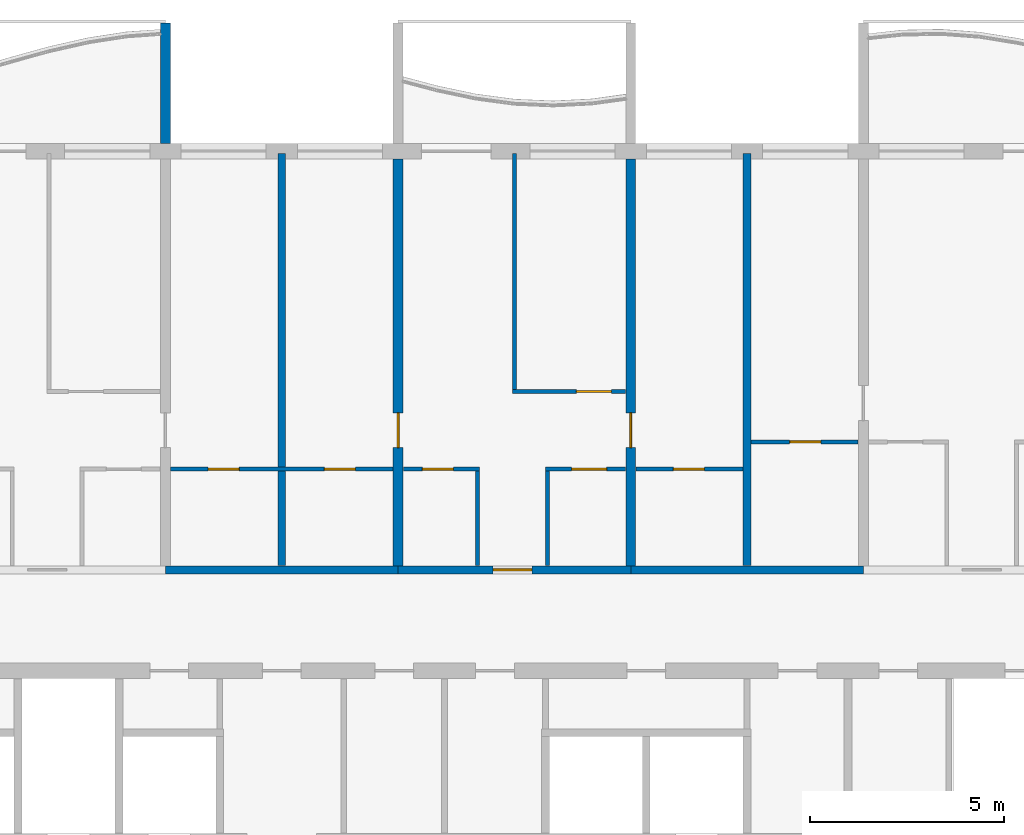
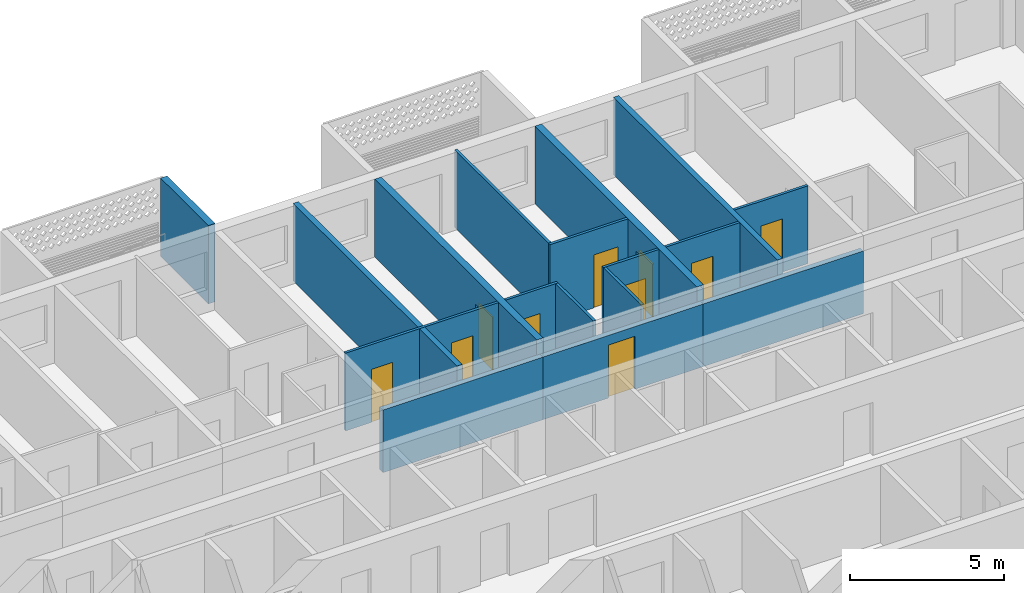
# One storey, part 9 of 27: 17 walls, 10 doors, 10 openings.
"""IFC4 building model written with IfcOpenShell, lengths in metres."""

import ifcopenshell
import ifcopenshell.guid

model = None  # the IFC model being written
_history = None  # IfcOwnerHistory: only IFC2X3 demands one
_inside = {}  # id of a spatial element -> (the spatial element, [elements in it])
_under = {}  # id of a project, library or spatial element -> (it, [spatial elements below it])
_declared = {}  # id of a project -> (the project, [libraries it declares])
_typed = {}  # id of a type object -> (the type object, [elements of that type])
_made_of = {}  # id of a material, layer set ... -> (it, [elements and type objects made of it])


def new_model(schema):
    """Start an empty IFC model of exactly this schema.

    Asked for "IFC4X3", IfcOpenShell would pick the latest addendum, in which some entities
    have other attributes; the version numbers below select the first issue.
    IFC2X3 requires an IfcOwnerHistory on every rooted entity: one is made here for all.
    """
    global model, _history
    if schema == "IFC4X3":
        model = ifcopenshell.file(schema_version=(4, 3, 0, 0))
    else:
        model = ifcopenshell.file(schema=schema)
    _inside.clear()
    _under.clear()
    _declared.clear()
    _typed.clear()
    _made_of.clear()
    _history = None
    if model.schema == "IFC2X3":
        org = make("IfcOrganization", Name="unknown")
        user = make(
            "IfcPersonAndOrganization",
            ThePerson=make("IfcPerson", FamilyName="unknown"),
            TheOrganization=org,
        )
        app = make(
            "IfcApplication",
            ApplicationDeveloper=org,
            Version="unknown",
            ApplicationFullName="unknown",
            ApplicationIdentifier="unknown",
        )
        _history = make(
            "IfcOwnerHistory",
            OwningUser=user,
            OwningApplication=app,
            ChangeAction="ADDED",
            CreationDate=0,
        )
    return model


def make(cls, **values):
    """One entity of the class cls with the attributes given. An attribute that is None is left unset."""
    return model.create_entity(
        cls, **{name: value for name, value in values.items() if value is not None}
    )


def rooted(cls, **values):
    """An entity with a GlobalId (a new one), such as an element, a storey or a relation."""
    return make(cls, GlobalId=ifcopenshell.guid.new(), OwnerHistory=_history, **values)


def si_unit(unit_type, name, prefix=None):
    """IfcSIUnit, for example si_unit("LENGTHUNIT", "METRE", prefix="MILLI")."""
    return make("IfcSIUnit", UnitType=unit_type, Prefix=prefix, Name=name)


def assignment(units):
    """IfcUnitAssignment: the units of a project."""
    return None if units is None else make("IfcUnitAssignment", Units=units)


def point(xyz):
    """IfcCartesianPoint."""
    return None if xyz is None else make("IfcCartesianPoint", Coordinates=xyz)


def direction(xyz):
    """IfcDirection."""
    return None if xyz is None else make("IfcDirection", DirectionRatios=xyz)


def frame(location, z_axis=None, x_axis=None):
    """IfcAxis2Placement3D, a coordinate frame: its origin and axes. An axis left out is left unset."""
    return make(
        "IfcAxis2Placement3D",
        Location=point(location),
        Axis=direction(z_axis),
        RefDirection=direction(x_axis),
    )


def frame_2d(location, x_axis=None):
    """IfcAxis2Placement2D, a coordinate frame in the plane: its origin and x axis."""
    return make(
        "IfcAxis2Placement2D", Location=point(location), RefDirection=direction(x_axis)
    )


def origin():
    """The frame at (0, 0, 0) with its axes left unset."""
    return frame((0.0, 0.0, 0.0))


def place(relative_to, where):
    """IfcLocalPlacement: puts the frame where relative to a parent placement (None: the world)."""
    return make(
        "IfcLocalPlacement", PlacementRelTo=relative_to, RelativePlacement=where
    )


def context(
    kind, dimensions, precision=None, world=None, true_north=None, identifier=None
):
    """IfcGeometricRepresentationContext, for example the 3D "Model" context."""
    return make(
        "IfcGeometricRepresentationContext",
        ContextIdentifier=identifier,
        ContextType=kind,
        CoordinateSpaceDimension=dimensions,
        Precision=precision,
        WorldCoordinateSystem=world,
        TrueNorth=true_north,
    )


def subcontext(parent, identifier, kind, view, scale=None):
    """IfcGeometricRepresentationSubContext, for example "Body" below "Model"."""
    return make(
        "IfcGeometricRepresentationSubContext",
        ContextIdentifier=identifier,
        ContextType=kind,
        ParentContext=parent,
        TargetScale=scale,
        TargetView=view,
    )


def project(units=None, contexts=None):
    """IfcProject with its units and contexts."""
    return rooted(
        "IfcProject",
        Name="project",
        RepresentationContexts=contexts,
        UnitsInContext=assignment(units),
    )


def spatial(cls, under=None, at=None, **own):
    """A site, building, storey or space (cls), placed at a placement, below another one or the project."""
    s = rooted(cls, ObjectPlacement=at, **own)
    if under is not None:
        _under.setdefault(under.id(), (under, []))[1].append(s)
    return s


def polyline(points):
    """IfcPolyline through the points."""
    return make("IfcPolyline", Points=[point(p) for p in points])


def profile(cls, at=None, kind="AREA", **sizes):
    """A parametric profile (cls). Its sizes go by their IFC names, for example OverallWidth=200.0."""
    return make(cls, ProfileType=kind, Position=at, **sizes)


def rectangle(**sizes):
    """IfcRectangleProfileDef."""
    return profile("IfcRectangleProfileDef", **sizes)


def outline(outer, holes=None, kind="AREA"):
    """IfcArbitraryClosedProfileDef: a profile drawn as a closed curve; with holes, ...WithVoids."""
    if holes is None:
        return make("IfcArbitraryClosedProfileDef", ProfileType=kind, OuterCurve=outer)
    return make(
        "IfcArbitraryProfileDefWithVoids",
        ProfileType=kind,
        OuterCurve=outer,
        InnerCurves=holes,
    )


def extrude(swept, where, along, depth):
    """IfcExtrudedAreaSolid: the profile swept, set in the frame where, extruded along a direction by depth."""
    return make(
        "IfcExtrudedAreaSolid",
        SweptArea=swept,
        Position=where,
        ExtrudedDirection=direction(along),
        Depth=depth,
    )


def shape(context_of_items, identifier, shape_type, items):
    """IfcShapeRepresentation: the items that make up one representation, for example the "Body"."""
    return make(
        "IfcShapeRepresentation",
        ContextOfItems=context_of_items,
        RepresentationIdentifier=identifier,
        RepresentationType=shape_type,
        Items=items,
    )


def source(mapping_origin, context_of_items, identifier, shape_type, items):
    """IfcRepresentationMap: a shape defined once, which mapped items show again and again."""
    return make(
        "IfcRepresentationMap",
        MappingOrigin=mapping_origin,
        MappedRepresentation=shape(context_of_items, identifier, shape_type, items),
    )


def transform(
    local_origin,
    x_axis=None,
    y_axis=None,
    z_axis=None,
    scale=None,
    scale2=None,
    scale3=None,
    uniform=True,
):
    """IfcCartesianTransformationOperator3D, or its non-uniform kind. x_axis, y_axis, z_axis: its Axis1, 2, 3."""
    if uniform:
        return make(
            "IfcCartesianTransformationOperator3D",
            Axis1=direction(x_axis),
            Axis2=direction(y_axis),
            LocalOrigin=point(local_origin),
            Scale=scale,
            Axis3=direction(z_axis),
        )
    return make(
        "IfcCartesianTransformationOperator3DnonUniform",
        Axis1=direction(x_axis),
        Axis2=direction(y_axis),
        LocalOrigin=point(local_origin),
        Scale=scale,
        Axis3=direction(z_axis),
        Scale2=scale2,
        Scale3=scale3,
    )


def mapped(mapping_source, mapping_target):
    """IfcMappedItem: shows the shape of a source again, moved by a transform."""
    return make(
        "IfcMappedItem", MappingSource=mapping_source, MappingTarget=mapping_target
    )


def material(Name=None, Category=None):
    """IfcMaterial."""
    return make("IfcMaterial", Name=Name, Category=Category)


def layer(
    of_material, thickness, ventilated=None, Name=None, Category=None, Priority=None
):
    """IfcMaterialLayer: one layer of a wall or slab, of a material (None: an air gap)."""
    return make(
        "IfcMaterialLayer",
        Material=of_material,
        LayerThickness=thickness,
        IsVentilated=ventilated,
        Name=Name,
        Category=Category,
        Priority=Priority,
    )


def layer_set(layers, Name=None):
    """IfcMaterialLayerSet."""
    return make("IfcMaterialLayerSet", MaterialLayers=layers, LayerSetName=Name)


def made_of(thing, what):
    """Note that an element or type object is made of a material, layer set ...; save() writes the relation."""
    if what is not None:
        _made_of.setdefault(what.id(), (what, []))[1].append(thing)
    return thing


def type_object(cls, material=None, **own):
    """A type object (cls), such as IfcWallType, which elements share."""
    return made_of(rooted(cls, **own), material)


def element(
    cls,
    number,
    at=None,
    inside=None,
    cuts=None,
    type_object=None,
    material=None,
    context=None,
    identifier="Body",
    shape_type=None,
    held_by="IfcProductDefinitionShape",
    body=None,
    shapes=None,
    **own,
):
    """One element of the class cls, such as IfcWall. Its Tag is "e" and its number.

    at: its placement. inside: the storey or other place that contains it. cuts: it is an
    opening in that element (IfcRelVoidsElement). A single representation is given by context,
    identifier, shape_type and body (its items); several are given by shapes. held_by: the class
    of the entity that holds the representations. save() writes the other relations.
    """
    e = rooted(cls, Tag="e%d" % number, ObjectPlacement=at, **own)
    if body is not None:
        shapes = [shape(context, identifier, shape_type, body)]
    if shapes is not None:
        e.Representation = make(held_by, Representations=shapes)
    if inside is not None:
        _inside.setdefault(inside.id(), (inside, []))[1].append(e)
    if cuts is not None:
        rooted(
            "IfcRelVoidsElement", RelatingBuildingElement=cuts, RelatedOpeningElement=e
        )
    if type_object is not None:
        _typed.setdefault(type_object.id(), (type_object, []))[1].append(e)
    return made_of(e, material)


def fill(opening, filler):
    """IfcRelFillsElement: the door or window that sits in an opening."""
    return rooted(
        "IfcRelFillsElement",
        RelatingOpeningElement=opening,
        RelatedBuildingElement=filler,
    )


def aggregate(whole, parts):
    """IfcRelAggregates: a whole, such as a stair, and the parts it consists of."""
    return rooted("IfcRelAggregates", RelatingObject=whole, RelatedObjects=parts)


def save(model, path):
    """Write the relations noted so far, then the file.

    IfcRelAggregates (storeys below a building ...), IfcRelContainedInSpatialStructure (elements
    in a storey), IfcRelDefinesByType, IfcRelAssociatesMaterial and IfcRelDeclares: one each for
    every whole, place, type object, material and project.
    """
    for whole, parts in _under.values():
        aggregate(whole, parts)
    for where, things in _inside.values():
        rooted(
            "IfcRelContainedInSpatialStructure",
            RelatedElements=things,
            RelatingStructure=where,
        )
    for kind, things in _typed.values():
        rooted("IfcRelDefinesByType", RelatedObjects=things, RelatingType=kind)
    for what, things in _made_of.values():
        rooted("IfcRelAssociatesMaterial", RelatedObjects=things, RelatingMaterial=what)
    for by, libraries in _declared.values():
        rooted("IfcRelDeclares", RelatingContext=by, RelatedDefinitions=libraries)
    model.write(path)


model = new_model("IFC4")

# Units and contexts
model_context = context("Model", 3, precision=1e-05, world=origin(), true_north=direction((0.0, 1.0)))
body_context = subcontext(model_context, "Body", "Model", "MODEL_VIEW")
ifc_project = project(units=[si_unit("LENGTHUNIT", "METRE"), si_unit("AREAUNIT", "SQUARE_METRE"), si_unit("VOLUMEUNIT", "CUBIC_METRE"), si_unit("PLANEANGLEUNIT", "RADIAN"), si_unit("MASSUNIT", "GRAM", prefix="KILO")], contexts=[model_context])

# Site, building, storey
site_placement = place(None, origin())
site = spatial("IfcSite", under=ifc_project, at=site_placement, CompositionType="ELEMENT")
building_placement = place(site_placement, origin())
building = spatial("IfcBuilding", under=site, at=building_placement, Name="Poui Terraces", CompositionType="ELEMENT")
storey_placement = place(building_placement, frame((0.0, 0.0, 198.300048828125)))
storey = spatial("IfcBuildingStorey", under=building, at=storey_placement, Name="L55", CompositionType="ELEMENT", Elevation=198.300048828125)

# Wall
ifc_material_1 = material(Name="Concrete 50 MPa", Category="concrete")
ifc_layer_1 = layer(ifc_material_1, 0.199951171875)
ifc_layer_set_1 = layer_set([ifc_layer_1], Name="Concrete 50 MPa")
wall_type_1 = type_object("IfcWallType", Name="CORRIDOR WALL 200 50MPa", PredefinedType="SHEAR", material=ifc_layer_set_1)
wall_1_placement = place(storey_placement, frame((48.0, 30.39990234375, 0.0), z_axis=(0.0, 0.0, 1.0), x_axis=(1.0, 0.0, 0.0)))
element("IfcWall", 1, at=wall_1_placement, inside=storey, type_object=wall_type_1, Name="CORRIDOR WALL LINE E BAY 6", PredefinedType="SHEAR", context=body_context, shape_type="SweptSolid", body=[
    extrude(rectangle(XDim=6.0, YDim=0.199951171875, at=frame_2d((3.0, 0.0))), origin(), (0.0, 0.0, 1.0), 2.47998046875),
])

# Wall, opening, door
wall_2_placement = place(storey_placement, frame((54.0, 30.39990234375, 0.0), z_axis=(0.0, 0.0, 1.0), x_axis=(1.0, 0.0, 0.0)))
wall_2 = element("IfcWall", 2, at=wall_2_placement, inside=storey, type_object=wall_type_1, Name="CORRIDOR WALL LINE E BAY 7", PredefinedType="SHEAR", context=body_context, shape_type="SweptSolid", body=[
    extrude(rectangle(XDim=6.0, YDim=0.199951171875, at=frame_2d((3.0, 0.0))), origin(), (0.0, 0.0, 1.0), 2.47998046875),
])
opening_1_placement = place(wall_2_placement, frame((2.449951171875, 0.0, 0.0)))
opening_1 = element("IfcOpeningElement", 3, at=opening_1_placement, cuts=wall_2, Name="Opening FD30S", PredefinedType="OPENING", context=body_context, shape_type="SweptSolid", body=[
    extrude(rectangle(XDim=1.0, YDim=2.10009765625, at=frame_2d((0.5, 1.050048828125))), frame((0.0, 0.10986328125, 0.0), z_axis=(0.0, -1.0, 0.0), x_axis=(1.0, 0.0, 0.0)), (0.0, 0.0, 1.0), 0.219970703125),
])
ifc_material_2 = material(Name="Steel fire door", Category="steel")
door_type_1 = type_object("IfcDoorType", Name="FLAT ENTRANCE DOOR 1000 X 2100", OperationType="NOTDEFINED", PredefinedType="DOOR", material=ifc_material_2)
door_1_placement = place(opening_1_placement, origin())
door_1 = element("IfcDoor", 4, at=door_1_placement, inside=storey, type_object=door_type_1, Name="FLAT ENTRANCE DOOR 050", OperationType="SINGLE_SWING_LEFT", OverallHeight=2.10009765625, OverallWidth=1.0, PredefinedType="DOOR", context=body_context, shape_type="SweptSolid", body=[
    extrude(rectangle(XDim=1.0, YDim=2.10009765625, at=frame_2d((0.5, 1.050048828125))), frame((0.0, 0.02490234375, 0.0), z_axis=(0.0, -1.0, 0.0), x_axis=(1.0, 0.0, 0.0)), (0.0, 0.0, 1.0), 0.050048828125),
])
fill(opening_1, door_1)

# Wall
wall_3_placement = place(storey_placement, frame((60.0, 30.39990234375, 0.0), z_axis=(0.0, 0.0, 1.0), x_axis=(1.0, 0.0, 0.0)))
element("IfcWall", 5, at=wall_3_placement, inside=storey, type_object=wall_type_1, Name="CORRIDOR WALL LINE E BAY 8", PredefinedType="SHEAR", context=body_context, shape_type="SweptSolid", body=[
    extrude(rectangle(XDim=6.0, YDim=0.199951171875, at=frame_2d((3.0, 0.0))), origin(), (0.0, 0.0, 1.0), 2.47998046875),
])

# Wall, opening, door
ifc_layer_2 = layer(ifc_material_1, 0.25)
ifc_layer_set_2 = layer_set([ifc_layer_2], Name="Concrete 50 MPa")
wall_type_2 = type_object("IfcWallType", Name="CROSS WALL 250 50MPa", PredefinedType="SHEAR", material=ifc_layer_set_2)
wall_4_placement = place(storey_placement, frame((54.0, 30.5, 0.0), z_axis=(0.0, 0.0, 1.0), x_axis=(0.0, 1.0, 0.0)))
wall_4 = element("IfcWall", 6, at=wall_4_placement, inside=storey, type_object=wall_type_2, Name="CROSS WALL LINE 10 NORTH", PredefinedType="SHEAR", context=body_context, shape_type="SweptSolid", body=[
    extrude(rectangle(XDim=10.5, YDim=0.25, at=frame_2d((5.25, 0.0))), origin(), (0.0, 0.0, 1.0), 3.079833984375),
])
opening_2_placement = place(wall_4_placement, frame((3.050048828125, 0.0, 0.0)))
opening_2 = element("IfcOpeningElement", 7, at=opening_2_placement, cuts=wall_4, Name="Opening D90", PredefinedType="OPENING", context=body_context, shape_type="SweptSolid", body=[
    extrude(rectangle(XDim=0.89990234375, YDim=2.10009765625, at=frame_2d((0.449951171875, 1.050048828125))), frame((0.0, 0.135009765625, 0.0), z_axis=(0.0, -1.0, 0.0), x_axis=(1.0, 0.0, 0.0)), (0.0, 0.0, 1.0), 0.27001953125),
])
ifc_material_3 = material(Name="Solid core timber door", Category="wood")
door_type_2 = type_object("IfcDoorType", Name="INTERNAL DOOR 900 X 2100", OperationType="NOTDEFINED", PredefinedType="DOOR", material=ifc_material_3)
door_2_placement = place(opening_2_placement, origin())
door_2 = element("IfcDoor", 8, at=door_2_placement, inside=storey, type_object=door_type_2, Name="INTERNAL DOOR 048", OperationType="SINGLE_SWING_LEFT", OverallHeight=2.10009765625, OverallWidth=0.89990234375, PredefinedType="DOOR", context=body_context, shape_type="SweptSolid", body=[
    extrude(rectangle(XDim=0.89990234375, YDim=2.10009765625, at=frame_2d((0.449951171875, 1.050048828125))), frame((0.0, 0.02490234375, 0.0), z_axis=(0.0, -1.0, 0.0), x_axis=(1.0, 0.0, 0.0)), (0.0, 0.0, 1.0), 0.050048828125),
])
fill(opening_2, door_2)

wall_5_placement = place(storey_placement, frame((60.0, 30.5, 0.0), z_axis=(0.0, 0.0, 1.0), x_axis=(0.0, 1.0, 0.0)))
wall_5 = element("IfcWall", 9, at=wall_5_placement, inside=storey, type_object=wall_type_2, Name="CROSS WALL LINE 11 NORTH", PredefinedType="SHEAR", context=body_context, shape_type="SweptSolid", body=[
    extrude(rectangle(XDim=10.5, YDim=0.25, at=frame_2d((5.25, 0.0))), origin(), (0.0, 0.0, 1.0), 3.079833984375),
])
opening_3_placement = place(wall_5_placement, frame((3.050048828125, 0.0, 0.0)))
opening_3 = element("IfcOpeningElement", 10, at=opening_3_placement, cuts=wall_5, Name="Opening D90", PredefinedType="OPENING", context=body_context, shape_type="SweptSolid", body=[
    extrude(rectangle(XDim=0.89990234375, YDim=2.10009765625, at=frame_2d((0.449951171875, 1.050048828125))), frame((0.0, 0.135009765625, 0.0), z_axis=(0.0, -1.0, 0.0), x_axis=(1.0, 0.0, 0.0)), (0.0, 0.0, 1.0), 0.27001953125),
])
door_3_placement = place(opening_3_placement, frame((0.89990234375, 0.0, 0.0), z_axis=(0.0, 0.0, 1.0), x_axis=(-1.0, 0.0, 0.0)))
door_3 = element("IfcDoor", 11, at=door_3_placement, inside=storey, type_object=door_type_2, Name="INTERNAL DOOR 053", OperationType="SINGLE_SWING_RIGHT", OverallHeight=2.10009765625, OverallWidth=0.89990234375, PredefinedType="DOOR", context=body_context, shape_type="SweptSolid", body=[
    extrude(rectangle(XDim=0.89990234375, YDim=2.10009765625, at=frame_2d((0.449951171875, 1.050048828125))), frame((0.0, 0.02490234375, 0.0), z_axis=(0.0, -1.0, 0.0), x_axis=(1.0, 0.0, 0.0)), (0.0, 0.0, 1.0), 0.050048828125),
])
fill(opening_3, door_3)

# Wall, openings, doors
ifc_material_4 = material(Name="Plasterboard partition")
ifc_layer_3 = layer(ifc_material_4, 0.10009765625)
ifc_layer_set_3 = layer_set([ifc_layer_3], Name="Plasterboard partition")
wall_type_3 = type_object("IfcWallType", Name="FLAT PARTITION 100", PredefinedType="PARTITIONING", material=ifc_layer_set_3)
wall_6_placement = place(storey_placement, frame((48.135009765625, 33.0, 0.0), z_axis=(0.0, 0.0, 1.0), x_axis=(1.0, 0.0, 0.0)))
wall_6 = element("IfcWall", 12, at=wall_6_placement, inside=storey, type_object=wall_type_3, Name="FLAT PARTITION 100", PredefinedType="PARTITIONING", context=body_context, shape_type="SweptSolid", body=[
    extrude(rectangle(XDim=5.72998046875, YDim=0.10009765625, at=frame_2d((2.864990234375, 0.0))), origin(), (0.0, 0.0, 1.0), 3.079833984375),
])
opening_4_placement = place(wall_6_placement, frame((0.965087890625, 0.0, 0.0)))
opening_4 = element("IfcOpeningElement", 13, at=opening_4_placement, cuts=wall_6, Name="Opening D80", PredefinedType="OPENING", context=body_context, shape_type="SweptSolid", body=[
    extrude(rectangle(XDim=0.800048828125, YDim=2.10009765625, at=frame_2d((0.39990234375, 1.050048828125))), frame((0.0, 0.06005859375, 0.0), z_axis=(0.0, -1.0, 0.0), x_axis=(1.0, 0.0, 0.0)), (0.0, 0.0, 1.0), 0.1201171875),
])
opening_5_placement = place(wall_6_placement, frame((3.965087890625, 0.0, 0.0)))
opening_5 = element("IfcOpeningElement", 14, at=opening_5_placement, cuts=wall_6, Name="Opening D80", PredefinedType="OPENING", context=body_context, shape_type="SweptSolid", body=[
    extrude(rectangle(XDim=0.800048828125, YDim=2.10009765625, at=frame_2d((0.39990234375, 1.050048828125))), frame((0.0, 0.06005859375, 0.0), z_axis=(0.0, -1.0, 0.0), x_axis=(1.0, 0.0, 0.0)), (0.0, 0.0, 1.0), 0.1201171875),
])
door_type_3 = type_object("IfcDoorType", Name="BATHROOM, LAUNDRY AND STORE DOOR 800 X 2100", OperationType="NOTDEFINED", PredefinedType="DOOR", material=ifc_material_3)
door_4_placement = place(opening_4_placement, frame((0.800048828125, 0.0, 0.0), z_axis=(0.0, 0.0, 1.0), x_axis=(-1.0, 0.0, 0.0)))
door_4 = element("IfcDoor", 15, at=door_4_placement, inside=storey, type_object=door_type_3, Name="BATHROOM, LAUNDRY AND STORE DOOR 039", OperationType="SINGLE_SWING_LEFT", OverallHeight=2.10009765625, OverallWidth=0.800048828125, PredefinedType="DOOR", context=body_context, shape_type="SweptSolid", body=[
    extrude(rectangle(XDim=0.800048828125, YDim=2.10009765625, at=frame_2d((0.39990234375, 1.050048828125))), frame((0.0, 0.02490234375, 0.0), z_axis=(0.0, -1.0, 0.0), x_axis=(1.0, 0.0, 0.0)), (0.0, 0.0, 1.0), 0.050048828125),
])
fill(opening_4, door_4)
door_5_placement = place(opening_5_placement, frame((0.800048828125, 0.0, 0.0), z_axis=(0.0, 0.0, 1.0), x_axis=(-1.0, 0.0, 0.0)))
door_5 = element("IfcDoor", 16, at=door_5_placement, inside=storey, type_object=door_type_3, Name="BATHROOM, LAUNDRY AND STORE DOOR 046", OperationType="SINGLE_SWING_RIGHT", OverallHeight=2.10009765625, OverallWidth=0.800048828125, PredefinedType="DOOR", context=body_context, shape_type="SweptSolid", body=[
    extrude(rectangle(XDim=0.800048828125, YDim=2.10009765625, at=frame_2d((0.39990234375, 1.050048828125))), frame((0.0, 0.02490234375, 0.0), z_axis=(0.0, -1.0, 0.0), x_axis=(1.0, 0.0, 0.0)), (0.0, 0.0, 1.0), 0.050048828125),
])
fill(opening_5, door_5)

# Wall, opening, door
wall_7_placement = place(storey_placement, frame((54.135009765625, 33.0, 0.0), z_axis=(0.0, 0.0, 1.0), x_axis=(1.0, 0.0, 0.0)))
wall_7 = element("IfcWall", 17, at=wall_7_placement, inside=storey, type_object=wall_type_3, Name="FLAT PARTITION 100", PredefinedType="PARTITIONING", context=body_context, shape_type="SweptSolid", body=[
    extrude(rectangle(XDim=1.965087890625, YDim=0.10009765625, at=frame_2d((0.982421875, 0.0))), origin(), (0.0, 0.0, 1.0), 3.079833984375),
])
opening_6_placement = place(wall_7_placement, frame((0.489990234375, 0.0, 0.0)))
opening_6 = element("IfcOpeningElement", 18, at=opening_6_placement, cuts=wall_7, Name="Opening D80", PredefinedType="OPENING", context=body_context, shape_type="SweptSolid", body=[
    extrude(rectangle(XDim=0.800048828125, YDim=2.10009765625, at=frame_2d((0.39990234375, 1.050048828125))), frame((0.0, 0.06005859375, 0.0), z_axis=(0.0, -1.0, 0.0), x_axis=(1.0, 0.0, 0.0)), (0.0, 0.0, 1.0), 0.1201171875),
])
door_6_placement = place(opening_6_placement, frame((0.800048828125, 0.0, 0.0), z_axis=(0.0, 0.0, 1.0), x_axis=(-1.0, 0.0, 0.0)))
door_6 = element("IfcDoor", 19, at=door_6_placement, inside=storey, type_object=door_type_3, Name="BATHROOM, LAUNDRY AND STORE DOOR 049", OperationType="SINGLE_SWING_RIGHT", OverallHeight=2.10009765625, OverallWidth=0.800048828125, PredefinedType="DOOR", context=body_context, shape_type="SweptSolid", body=[
    extrude(rectangle(XDim=0.800048828125, YDim=2.10009765625, at=frame_2d((0.39990234375, 1.050048828125))), frame((0.0, 0.02490234375, 0.0), z_axis=(0.0, -1.0, 0.0), x_axis=(1.0, 0.0, 0.0)), (0.0, 0.0, 1.0), 0.050048828125),
])
fill(opening_6, door_6)

wall_8_placement = place(storey_placement, frame((57.800048828125, 33.0, 0.0), z_axis=(0.0, 0.0, 1.0), x_axis=(1.0, 0.0, 0.0)))
wall_8 = element("IfcWall", 20, at=wall_8_placement, inside=storey, type_object=wall_type_3, Name="FLAT PARTITION 100", PredefinedType="PARTITIONING", context=body_context, shape_type="SweptSolid", body=[
    extrude(rectangle(XDim=2.06494140625, YDim=0.10009765625, at=frame_2d((1.032470703125, 0.0))), origin(), (0.0, 0.0, 1.0), 3.079833984375),
])
opening_7_placement = place(wall_8_placement, frame((0.675048828125, 0.0, 0.0)))
opening_7 = element("IfcOpeningElement", 21, at=opening_7_placement, cuts=wall_8, Name="Opening D90", PredefinedType="OPENING", context=body_context, shape_type="SweptSolid", body=[
    extrude(rectangle(XDim=0.89990234375, YDim=2.10009765625, at=frame_2d((0.449951171875, 1.050048828125))), frame((0.0, 0.06005859375, 0.0), z_axis=(0.0, -1.0, 0.0), x_axis=(1.0, 0.0, 0.0)), (0.0, 0.0, 1.0), 0.1201171875),
])
door_7_placement = place(opening_7_placement, frame((0.89990234375, 0.0, 0.0), z_axis=(0.0, 0.0, 1.0), x_axis=(-1.0, 0.0, 0.0)))
door_7 = element("IfcDoor", 22, at=door_7_placement, inside=storey, type_object=door_type_2, Name="INTERNAL DOOR 051", OperationType="SINGLE_SWING_LEFT", OverallHeight=2.10009765625, OverallWidth=0.89990234375, PredefinedType="DOOR", context=body_context, shape_type="SweptSolid", body=[
    extrude(rectangle(XDim=0.89990234375, YDim=2.10009765625, at=frame_2d((0.449951171875, 1.050048828125))), frame((0.0, 0.02490234375, 0.0), z_axis=(0.0, -1.0, 0.0), x_axis=(1.0, 0.0, 0.0)), (0.0, 0.0, 1.0), 0.050048828125),
])
fill(opening_7, door_7)

wall_9_placement = place(storey_placement, frame((60.135009765625, 33.0, 0.0), z_axis=(0.0, 0.0, 1.0), x_axis=(1.0, 0.0, 0.0)))
wall_9 = element("IfcWall", 23, at=wall_9_placement, inside=storey, type_object=wall_type_3, Name="FLAT PARTITION 100", PredefinedType="PARTITIONING", context=body_context, shape_type="SweptSolid", body=[
    extrude(rectangle(XDim=2.764892578125, YDim=0.10009765625, at=frame_2d((1.38232421875, 0.0))), origin(), (0.0, 0.0, 1.0), 3.079833984375),
])
opening_8_placement = place(wall_9_placement, frame((0.965087890625, 0.0, 0.0)))
opening_8 = element("IfcOpeningElement", 24, at=opening_8_placement, cuts=wall_9, Name="Opening D80", PredefinedType="OPENING", context=body_context, shape_type="SweptSolid", body=[
    extrude(rectangle(XDim=0.800048828125, YDim=2.10009765625, at=frame_2d((0.39990234375, 1.050048828125))), frame((0.0, 0.06005859375, 0.0), z_axis=(0.0, -1.0, 0.0), x_axis=(1.0, 0.0, 0.0)), (0.0, 0.0, 1.0), 0.1201171875),
])
door_8_placement = place(opening_8_placement, frame((0.800048828125, 0.0, 0.0), z_axis=(0.0, 0.0, 1.0), x_axis=(-1.0, 0.0, 0.0)))
door_8 = element("IfcDoor", 25, at=door_8_placement, inside=storey, type_object=door_type_3, Name="BATHROOM, LAUNDRY AND STORE DOOR 047", OperationType="SINGLE_SWING_RIGHT", OverallHeight=2.10009765625, OverallWidth=0.800048828125, PredefinedType="DOOR", context=body_context, shape_type="SweptSolid", body=[
    extrude(rectangle(XDim=0.800048828125, YDim=2.10009765625, at=frame_2d((0.39990234375, 1.050048828125))), frame((0.0, 0.02490234375, 0.0), z_axis=(0.0, -1.0, 0.0), x_axis=(1.0, 0.0, 0.0)), (0.0, 0.0, 1.0), 0.050048828125),
])
fill(opening_8, door_8)

wall_10_placement = place(storey_placement, frame((63.10009765625, 33.699951171875, 0.0), z_axis=(0.0, 0.0, 1.0), x_axis=(1.0, 0.0, 0.0)))
wall_10 = element("IfcWall", 26, at=wall_10_placement, inside=storey, type_object=wall_type_3, Name="FLAT PARTITION 100", PredefinedType="PARTITIONING", context=body_context, shape_type="SweptSolid", body=[
    extrude(rectangle(XDim=2.764892578125, YDim=0.10009765625, at=frame_2d((1.38232421875, 0.0))), origin(), (0.0, 0.0, 1.0), 3.079833984375),
])
opening_9_placement = place(wall_10_placement, frame((1.0, 0.0, 0.0)))
opening_9 = element("IfcOpeningElement", 27, at=opening_9_placement, cuts=wall_10, Name="Opening D80", PredefinedType="OPENING", context=body_context, shape_type="SweptSolid", body=[
    extrude(rectangle(XDim=0.800048828125, YDim=2.10009765625, at=frame_2d((0.39990234375, 1.050048828125))), frame((0.0, 0.06005859375, 0.0), z_axis=(0.0, -1.0, 0.0), x_axis=(1.0, 0.0, 0.0)), (0.0, 0.0, 1.0), 0.1201171875),
])
door_9_placement = place(opening_9_placement, frame((0.800048828125, 0.0, 0.0), z_axis=(0.0, 0.0, 1.0), x_axis=(-1.0, 0.0, 0.0)))
door_9 = element("IfcDoor", 28, at=door_9_placement, inside=storey, type_object=door_type_3, Name="BATHROOM, LAUNDRY AND STORE DOOR 054", OperationType="SINGLE_SWING_LEFT", OverallHeight=2.10009765625, OverallWidth=0.800048828125, PredefinedType="DOOR", context=body_context, shape_type="SweptSolid", body=[
    extrude(rectangle(XDim=0.800048828125, YDim=2.10009765625, at=frame_2d((0.39990234375, 1.050048828125))), frame((0.0, 0.02490234375, 0.0), z_axis=(0.0, -1.0, 0.0), x_axis=(1.0, 0.0, 0.0)), (0.0, 0.0, 1.0), 0.050048828125),
])
fill(opening_9, door_9)

wall_11_placement = place(storey_placement, frame((56.949951171875, 35.0, 0.0), z_axis=(0.0, 0.0, 1.0), x_axis=(1.0, 0.0, 0.0)))
wall_11 = element("IfcWall", 29, at=wall_11_placement, inside=storey, type_object=wall_type_3, Name="FLAT PARTITION 100", PredefinedType="PARTITIONING", context=body_context, shape_type="SweptSolid", body=[
    extrude(rectangle(XDim=2.9150390625, YDim=0.10009765625, at=frame_2d((1.45751953125, 0.0))), origin(), (0.0, 0.0, 1.0), 3.079833984375),
])
opening_10_placement = place(wall_11_placement, frame((1.64990234375, 0.0, 0.0)))
opening_10 = element("IfcOpeningElement", 30, at=opening_10_placement, cuts=wall_11, Name="Opening D90", PredefinedType="OPENING", context=body_context, shape_type="SweptSolid", body=[
    extrude(rectangle(XDim=0.89990234375, YDim=2.10009765625, at=frame_2d((0.449951171875, 1.050048828125))), frame((0.0, 0.06005859375, 0.0), z_axis=(0.0, -1.0, 0.0), x_axis=(1.0, 0.0, 0.0)), (0.0, 0.0, 1.0), 0.1201171875),
])
door_10_placement = place(opening_10_placement, frame((0.89990234375, 0.0, 0.0), z_axis=(0.0, 0.0, 1.0), x_axis=(-1.0, 0.0, 0.0)))
door_10 = element("IfcDoor", 31, at=door_10_placement, inside=storey, type_object=door_type_2, Name="INTERNAL DOOR 052", OperationType="SINGLE_SWING_RIGHT", OverallHeight=2.10009765625, OverallWidth=0.89990234375, PredefinedType="DOOR", context=body_context, shape_type="SweptSolid", body=[
    extrude(rectangle(XDim=0.89990234375, YDim=2.10009765625, at=frame_2d((0.449951171875, 1.050048828125))), frame((0.0, 0.02490234375, 0.0), z_axis=(0.0, -1.0, 0.0), x_axis=(1.0, 0.0, 0.0)), (0.0, 0.0, 1.0), 0.050048828125),
])
fill(opening_10, door_10)

# Walls
wall_12_placement = place(storey_placement, frame((56.050048828125, 30.510009765625, 0.0), z_axis=(0.0, 0.0, 1.0), x_axis=(0.0, 1.0, 0.0)))
element("IfcWall", 32, at=wall_12_placement, inside=storey, type_object=wall_type_3, Name="FLAT PARTITION 100", PredefinedType="PARTITIONING", context=body_context, shape_type="SweptSolid", body=[
    extrude(rectangle(XDim=2.43994140625, YDim=0.10009765625, at=frame_2d((1.219970703125, 0.0))), origin(), (0.0, 0.0, 1.0), 3.079833984375),
])
wall_13_placement = place(storey_placement, frame((57.0, 35.050048828125, 0.0), z_axis=(0.0, 0.0, 1.0), x_axis=(0.0, 1.0, 0.0)))
element("IfcWall", 33, at=wall_13_placement, inside=storey, type_object=wall_type_3, Name="FLAT PARTITION 100", PredefinedType="PARTITIONING", context=body_context, shape_type="SweptSolid", body=[
    extrude(rectangle(XDim=6.08984375, YDim=0.10009765625, at=frame_2d((3.044921875, 0.0))), origin(), (0.0, 0.0, 1.0), 3.079833984375),
])
wall_14_placement = place(storey_placement, frame((57.85009765625, 30.510009765625, 0.0), z_axis=(0.0, 0.0, 1.0), x_axis=(0.0, 1.0, 0.0)))
element("IfcWall", 34, at=wall_14_placement, inside=storey, type_object=wall_type_3, Name="FLAT PARTITION 100", PredefinedType="PARTITIONING", context=body_context, shape_type="SweptSolid", body=[
    extrude(rectangle(XDim=2.43994140625, YDim=0.10009765625, at=frame_2d((1.219970703125, 0.0))), origin(), (0.0, 0.0, 1.0), 3.079833984375),
])
ifc_material_5 = material(Name="Fire-rated masonry wall", Category="masonry")
ifc_layer_4 = layer(ifc_material_5, 0.199951171875)
ifc_layer_set_4 = layer_set([ifc_layer_4], Name="Fire-rated masonry wall")
wall_type_4 = type_object("IfcWallType", Name="FLAT PARTY WALL 200", PredefinedType="PARTITIONING", material=ifc_layer_set_4)
for number, where, z_axis, x_axis, name in (
    (35, (51.0, 30.510009765625, 0.0), (0.0, 0.0, 1.0), (0.0, 1.0, 0.0), "FLAT PARTY WALL 200"),
    (36, (63.0, 30.510009765625, 0.0), (0.0, 0.0, 1.0), (0.0, 1.0, 0.0), "FLAT PARTY WALL 200"),
):
    element("IfcWall", number, at=place(storey_placement, frame(where, z_axis=z_axis, x_axis=x_axis)), inside=storey, type_object=wall_type_4, Name=name, PredefinedType="PARTITIONING", context=body_context, shape_type="SweptSolid", body=[
        extrude(rectangle(XDim=10.6298828125, YDim=0.199951171875, at=frame_2d((5.31494140625, 0.0))), origin(), (0.0, 0.0, 1.0), 3.079833984375),
    ])
ifc_material_6 = material(Name="Precast concrete 40 MPa", Category="concrete")
ifc_layer_5 = layer(ifc_material_6, 0.25)
ifc_layer_set_5 = layer_set([ifc_layer_5], Name="Precast concrete 40 MPa")
wall_type_5 = type_object("IfcWallType", Name="BALCONY FIN 250", PredefinedType="STANDARD", material=ifc_layer_set_5)
shared_shape = source(origin(), body_context, "Body", "SweptSolid", [
    extrude(outline(polyline([(0.0, 0.0), (0.25, 0.0), (0.25, 3.10009765625), (0.0, 3.10009765625), (0.0, 0.0)])), origin(), (0.0, 0.0, 1.0), 3.099853515625),
])
wall_15_placement = place(storey_placement, frame((47.875, 41.39990234375, 0.0)))
element("IfcWall", 37, at=wall_15_placement, inside=storey, type_object=wall_type_5, Name="BALCONY FIN", PredefinedType="STANDARD", context=body_context, shape_type="MappedRepresentation", body=[
    mapped(shared_shape, transform((0.0, 0.0, 0.0))),
])

save(model, "model.ifc")
